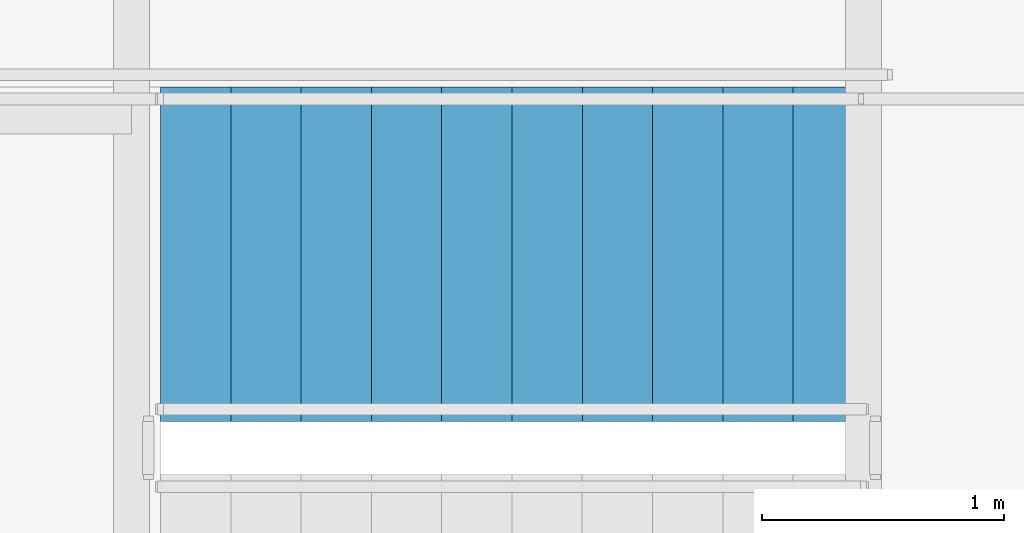
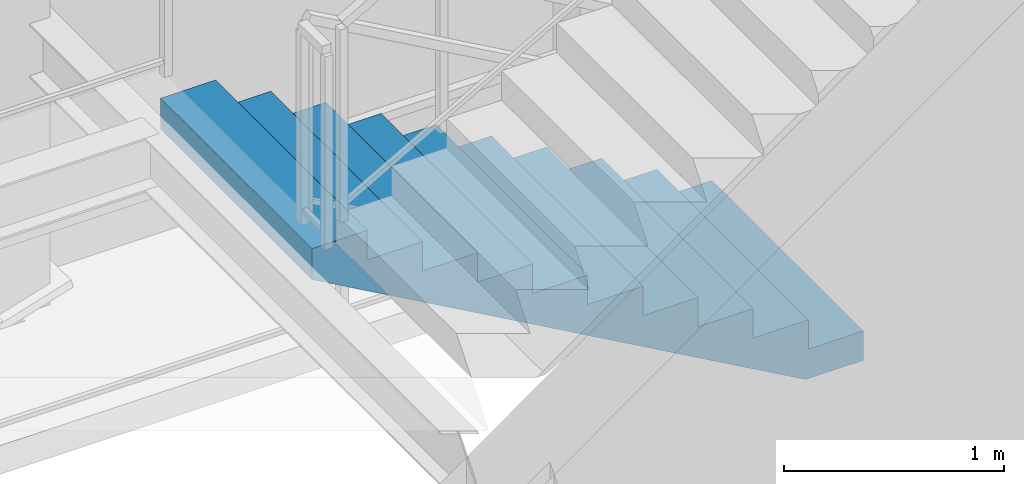
# One storey, part 22 of 24: 1 stair flight, 1 element without a shape of its own.
"""IFC4 building model written with IfcOpenShell, lengths in metres."""

from ifc_helpers import new_model, si_unit, direction, frame, origin, place, context, subcontext, project, spatial, polyline, outline, extrude, material, type_object, element, aggregate, save


model = new_model("IFC4")

# Units and contexts
model_context = context("Model", 3, precision=1e-05, world=origin(), true_north=direction((0.0, 1.0)))
body_context = subcontext(model_context, "Body", "Model", "MODEL_VIEW")
ifc_project = project(units=[si_unit("LENGTHUNIT", "METRE"), si_unit("AREAUNIT", "SQUARE_METRE"), si_unit("VOLUMEUNIT", "CUBIC_METRE"), si_unit("PLANEANGLEUNIT", "RADIAN"), si_unit("MASSUNIT", "GRAM", prefix="KILO")], contexts=[model_context])

# Site, building, storey
site_placement = place(None, origin())
site = spatial("IfcSite", under=ifc_project, at=site_placement, CompositionType="ELEMENT")
building_placement = place(site_placement, origin())
building = spatial("IfcBuilding", under=site, at=building_placement, Name="Khoronbel Lancet Exchange", CompositionType="ELEMENT")
storey_placement = place(building_placement, frame((0.0, 0.0, 347.0)))
storey = spatial("IfcBuildingStorey", under=building, at=storey_placement, Name="L90", CompositionType="ELEMENT", Elevation=347.0)

# Stair, stair flight
ifc_material = material(Name="Concrete C40/50", Category="concrete")
stair_type = type_object("IfcStairType", Name="STR-CORE150", PredefinedType="HALF_TURN_STAIR", material=ifc_material)
stair_placement = place(storey_placement, origin())
stair = element("IfcStair", 1, at=stair_placement, inside=storey, type_object=stair_type, Name="L90 Protected Exit Stair ST2", PredefinedType="HALF_TURN_STAIR")
stair_flight_type = type_object("IfcStairFlightType", Name="STF-150", PredefinedType="STRAIGHT", material=ifc_material)
stair_flight_placement = place(storey_placement, frame((54.60009765625, 51.409912109375, 0.0), z_axis=(0.0, 0.0, 1.0), x_axis=(-1.0, 0.0, 0.0)))
stair_flight = element("IfcStairFlight", 2, at=stair_flight_placement, type_object=stair_flight_type, Name="ST2 flight 1", NumberOfRisers=11, NumberOfTreads=10, PredefinedType="STRAIGHT", RiserHeight=0.163636364, TreadLength=0.29, context=body_context, shape_type="SweptSolid", body=[
    extrude(outline(polyline([(0.0, 0.0), (0.0, 0.16357421875), (0.2900390625, 0.16357421875), (0.2900390625, 0.327392578125), (0.580078125, 0.327392578125), (0.580078125, 0.490966796875), (0.8701171875, 0.490966796875), (0.8701171875, 0.654541015625), (1.159912109375, 0.654541015625), (1.159912109375, 0.818115234375), (1.449951171875, 0.818115234375), (1.449951171875, 0.98193359375), (1.739990234375, 0.98193359375), (1.739990234375, 1.1455078125), (2.030029296875, 1.1455078125), (2.030029296875, 1.30908203125), (2.320068359375, 1.30908203125), (2.320068359375, 1.47265625), (2.610107421875, 1.47265625), (2.610107421875, 1.636474609375), (2.89990234375, 1.636474609375), (2.89990234375, 1.800048828125), (2.89990234375, 1.46435546875), (0.304931640625, 0.0), (0.0, 0.0)])), frame((0.0, 0.68994140625, 0.0), z_axis=(0.0, -1.0, 0.0), x_axis=(1.0, 0.0, 0.0)), (0.0, 0.0, 1.0), 1.3798828125),
])
aggregate(stair, [stair_flight])

save(model, "model.ifc")
